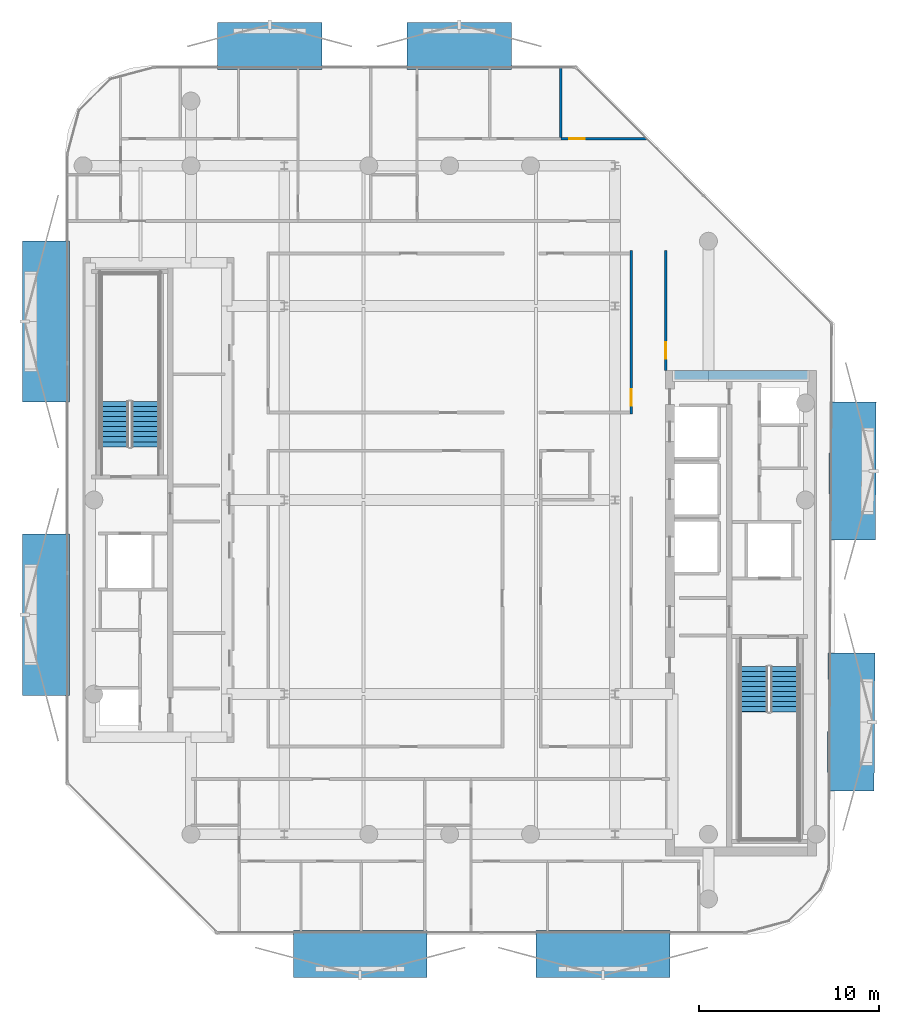
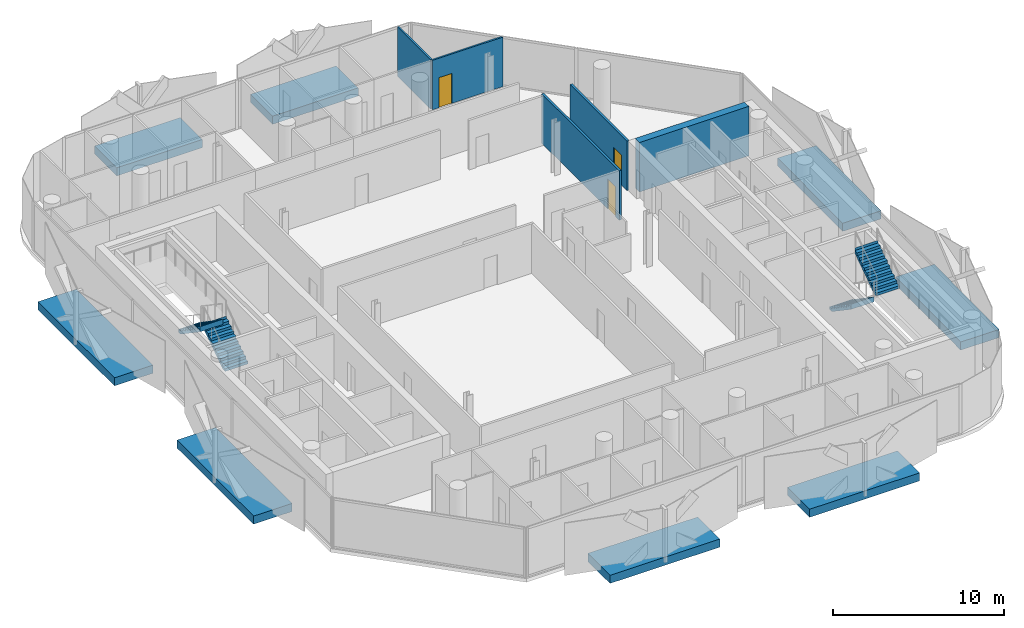
# One storey, part 8 of 17: 8 discrete accessories, 5 walls, 4 stair flights, 3 doors, 3 openings, 2 elements without a shape of their own.
"""IFC4 building model written with IfcOpenShell, lengths in metres."""

from ifc_helpers import new_model, si_unit, direction, frame, frame_2d, origin, origin_2d, place, context, subcontext, project, spatial, polyline, rectangle, outline, extrude, material, layer, layer_set, type_object, element, fill, aggregate, save


model = new_model("IFC4")

# Units and contexts
model_context = context("Model", 3, precision=1e-05, world=origin(), true_north=direction((0.0, 1.0)))
body_context = subcontext(model_context, "Body", "Model", "MODEL_VIEW")
ifc_project = project(units=[si_unit("LENGTHUNIT", "METRE"), si_unit("AREAUNIT", "SQUARE_METRE"), si_unit("VOLUMEUNIT", "CUBIC_METRE"), si_unit("PLANEANGLEUNIT", "RADIAN"), si_unit("MASSUNIT", "GRAM", prefix="KILO")], contexts=[model_context])

# Site, building, storey
site_placement = place(None, origin())
site = spatial("IfcSite", under=ifc_project, at=site_placement, CompositionType="ELEMENT")
building_placement = place(site_placement, origin())
building = spatial("IfcBuilding", under=site, at=building_placement, Name="Khairoan Windgate Tower", CompositionType="ELEMENT")
storey_placement = place(building_placement, frame((0.0, 0.0, 304.199951171875)))
storey = spatial("IfcBuildingStorey", under=building, at=storey_placement, Name="L73", CompositionType="ELEMENT", Elevation=304.199951171875)

# Wall, opening, door
ifc_material_1 = material(Name="Gypsum Stud Partition", Category="gypsum")
ifc_layer_1 = layer(ifc_material_1, 0.1201171875, Name="Gypsum Stud Partition")
ifc_layer_set_1 = layer_set([ifc_layer_1], Name="Gypsum Stud Partition")
wall_type_1 = type_object("IfcWallType", Name="Internal Room Partition Wall", PredefinedType="PARTITIONING", material=ifc_layer_set_1)
wall_1_placement = place(storey_placement, frame((6.18310546875, 20.10009765625, 0.0), z_axis=(0.0, 0.0, 1.0), x_axis=(1.0, 0.0, 0.0)))
wall_1 = element("IfcWall", 1, at=wall_1_placement, inside=storey, type_object=wall_type_1, Name="L73 Interior Partition 057", PredefinedType="PARTITIONING", context=body_context, shape_type="SweptSolid", body=[
    extrude(rectangle(XDim=4.77392578125, YDim=0.1201171875, at=frame_2d((2.386962890625, 0.0))), origin(), (0.0, 0.0, 1.0), 3.5400390625),
])
opening_1_placement = place(wall_1_placement, frame((0.4599609375, 0.0, 0.0)))
opening_1 = element("IfcOpeningElement", 2, at=opening_1_placement, cuts=wall_1, Name="Opening ID-RM", PredefinedType="OPENING", context=body_context, shape_type="SweptSolid", body=[
    extrude(rectangle(XDim=0.860107421875, YDim=2.14990234375, at=frame_2d((0.43017578125, 1.074951171875))), frame((0.0, 0.070068359375, 0.0), z_axis=(0.0, -1.0, 0.0), x_axis=(1.0, 0.0, 0.0)), (0.0, 0.0, 1.0), 0.14013671875),
])
ifc_material_2 = material(Name="Teak Veneer Timber Leaf", Category="wood")
door_type_1 = type_object("IfcDoorType", Name="Internal Bedroom and Office Door ID-RM 860x2150", OperationType="NOTDEFINED", PredefinedType="DOOR", material=ifc_material_2)
door_1_placement = place(opening_1_placement, origin())
door_1 = element("IfcDoor", 3, at=door_1_placement, inside=storey, type_object=door_type_1, Name="L73 L73-42-L73-45 Door", OperationType="SINGLE_SWING_RIGHT", OverallHeight=2.14990234375, OverallWidth=0.860107421875, PredefinedType="DOOR", context=body_context, shape_type="SweptSolid", body=[
    extrude(rectangle(XDim=0.860107421875, YDim=2.14990234375, at=frame_2d((0.43017578125, 1.074951171875))), frame((0.0, 0.02490234375, 0.0), z_axis=(0.0, -1.0, 0.0), x_axis=(1.0, 0.0, 0.0)), (0.0, 0.0, 1.0), 0.050048828125),
])
fill(opening_1, door_1)

# Wall
wall_2_placement = place(storey_placement, frame((6.18310546875, 20.159912109375, 0.0), z_axis=(0.0, 0.0, 1.0), x_axis=(0.0, 1.0, 0.0)))
element("IfcWall", 4, at=wall_2_placement, inside=storey, type_object=wall_type_1, Name="L73 Interior Partition 059", PredefinedType="PARTITIONING", context=body_context, shape_type="SweptSolid", body=[
    extrude(rectangle(XDim=3.89501953125, YDim=0.1201171875, at=frame_2d((1.947509765625, 0.0))), origin(), (0.0, 0.0, 1.0), 3.5400390625),
])

# Wall, opening, door
ifc_material_3 = material(Name="Acoustic Fire-Rated Gypsum Partition", Category="gypsum")
ifc_layer_2 = layer(ifc_material_3, 0.14990234375, Name="Acoustic Fire-Rated Gypsum Partition")
ifc_layer_set_2 = layer_set([ifc_layer_2], Name="Acoustic Fire-Rated Gypsum Partition")
wall_type_2 = type_object("IfcWallType", Name="Rated Corridor Partition Wall", PredefinedType="PARTITIONING", material=ifc_layer_set_2)
wall_3_placement = place(storey_placement, frame((12.014892578125, 7.199951171875, 0.0), z_axis=(0.0, 0.0, 1.0), x_axis=(0.0, 1.0, 0.0)))
wall_3 = element("IfcWall", 5, at=wall_3_placement, inside=storey, type_object=wall_type_2, Name="L73 Interior Partition 015", PredefinedType="PARTITIONING", context=body_context, shape_type="SweptSolid", body=[
    extrude(rectangle(XDim=6.679931640625, YDim=0.14990234375, at=frame_2d((3.33984375, 0.0))), origin(), (0.0, 0.0, 1.0), 3.5400390625),
])
opening_2_placement = place(wall_3_placement, frame((0.669921875, 0.0, 0.0)))
opening_2 = element("IfcOpeningElement", 6, at=opening_2_placement, cuts=wall_3, Name="Opening FD-ENT", PredefinedType="OPENING", context=body_context, shape_type="SweptSolid", body=[
    extrude(rectangle(XDim=0.89990234375, YDim=2.14990234375, at=frame_2d((0.449951171875, 1.074951171875))), frame((0.0, 0.0849609375, 0.0), z_axis=(0.0, -1.0, 0.0), x_axis=(1.0, 0.0, 0.0)), (0.0, 0.0, 1.0), 0.169921875),
])
ifc_material_4 = material(Name="Timber Fire-Rated Core", Category="wood")
door_type_2 = type_object("IfcDoorType", Name="Unit and Office Fire Entrance Door FD-ENT 900x2150", OperationType="NOTDEFINED", PredefinedType="DOOR", material=ifc_material_4)
door_2_placement = place(opening_2_placement, origin())
door_2 = element("IfcDoor", 7, at=door_2_placement, inside=storey, type_object=door_type_2, Name="L73 L73-28-L73-59 Door", OperationType="SINGLE_SWING_RIGHT", OverallHeight=2.14990234375, OverallWidth=0.89990234375, PredefinedType="DOOR", context=body_context, shape_type="SweptSolid", body=[
    extrude(rectangle(XDim=0.89990234375, YDim=2.14990234375, at=frame_2d((0.449951171875, 1.074951171875))), frame((0.0, 0.02490234375, 0.0), z_axis=(0.0, -1.0, 0.0), x_axis=(1.0, 0.0, 0.0)), (0.0, 0.0, 1.0), 0.050048828125),
])
fill(opening_2, door_2)

wall_4_placement = place(storey_placement, frame((10.10009765625, 4.7900390625, 0.0), z_axis=(0.0, 0.0, 1.0), x_axis=(0.0, 1.0, 0.0)))
wall_4 = element("IfcWall", 8, at=wall_4_placement, inside=storey, type_object=wall_type_2, Name="L73 Interior Partition 016", PredefinedType="PARTITIONING", context=body_context, shape_type="SweptSolid", body=[
    extrude(rectangle(XDim=9.08984375, YDim=0.14990234375, at=frame_2d((4.544921875, 0.0))), origin(), (0.0, 0.0, 1.0), 3.5400390625),
])
opening_3_placement = place(wall_4_placement, frame((0.4599609375, 0.0, 0.0)))
opening_3 = element("IfcOpeningElement", 9, at=opening_3_placement, cuts=wall_4, Name="Opening FD-ENT", PredefinedType="OPENING", context=body_context, shape_type="SweptSolid", body=[
    extrude(rectangle(XDim=0.89990234375, YDim=2.14990234375, at=frame_2d((0.449951171875, 1.074951171875))), frame((0.0, 0.0849609375, 0.0), z_axis=(0.0, -1.0, 0.0), x_axis=(1.0, 0.0, 0.0)), (0.0, 0.0, 1.0), 0.169921875),
])
door_3_placement = place(opening_3_placement, origin())
door_3 = element("IfcDoor", 10, at=door_3_placement, inside=storey, type_object=door_type_2, Name="L73 L73-28-L73-62 Door", OperationType="SINGLE_SWING_LEFT", OverallHeight=2.14990234375, OverallWidth=0.89990234375, PredefinedType="DOOR", context=body_context, shape_type="SweptSolid", body=[
    extrude(rectangle(XDim=0.89990234375, YDim=2.14990234375, at=frame_2d((0.449951171875, 1.074951171875))), frame((0.0, 0.02490234375, 0.0), z_axis=(0.0, -1.0, 0.0), x_axis=(1.0, 0.0, 0.0)), (0.0, 0.0, 1.0), 0.050048828125),
])
fill(opening_3, door_3)

# Wall
ifc_material_5 = material(Name="Concrete C50/60", Category="concrete")
ifc_layer_3 = layer(ifc_material_5, 0.5, Name="Concrete C50/60")
ifc_layer_set_3 = layer_set([ifc_layer_3], Name="Concrete C50/60")
wall_type_3 = type_object("IfcWallType", Name="Shear Wall CW-E3 500mm", PredefinedType="SHEAR", material=ifc_layer_set_3)
wall_5_placement = place(storey_placement, frame((12.5, 6.949951171875, 0.0), z_axis=(0.0, 0.0, 1.0), x_axis=(1.0, 0.0, 0.0)))
element("IfcWall", 11, at=wall_5_placement, inside=storey, type_object=wall_type_3, Name="E Core North Shear Wall L73", PredefinedType="SHEAR", context=body_context, shape_type="SweptSolid", body=[
    extrude(rectangle(XDim=7.39990234375, YDim=0.5, at=frame_2d((3.699951171875, 0.0))), origin(), (0.0, 0.0, 1.0), 3.5400390625),
])

# Stair, stair flights
ifc_material_6 = material(Name="Concrete C40/50", Category="concrete")
stair_type = type_object("IfcStairType", Name="Tower Core Dog-Leg Stair ST-T1 1560mm", PredefinedType="HALF_TURN_STAIR", material=ifc_material_6)
stair_1_placement = place(storey_placement, origin())
stair_1 = element("IfcStair", 12, at=stair_1_placement, inside=storey, type_object=stair_type, Name="L73 Stair ST1", PredefinedType="HALF_TURN_STAIR")
ifc_material_7 = material(Name="Concrete C40/50", Category="concrete")
ifc_layer_4 = layer(ifc_material_7, 0.14990234375, Name="Concrete C40/50")
ifc_layer_set_4 = layer_set([ifc_layer_4], Name="Concrete C40/50")
stair_flight_type = type_object("IfcStairFlightType", Name="Tower Core Stair Flight STF-1560", PredefinedType="STRAIGHT", material=ifc_layer_set_4)
stair_flight_1_placement = place(storey_placement, frame((16.929931640625, -9.260009765625, 0.0), z_axis=(0.0, 0.0, 1.0), x_axis=(0.0, -1.0, 0.0)))
stair_flight_1 = element("IfcStairFlight", 13, at=stair_flight_1_placement, type_object=stair_flight_type, Name="ST1 flight 1", NumberOfRisers=10, NumberOfTreads=9, PredefinedType="STRAIGHT", RiserHeight=0.19, TreadLength=0.28, context=body_context, shape_type="SweptSolid", body=[
    extrude(outline(polyline([(-0.00390625, 0.0), (-0.00390625, 0.18994140625), (0.0, 0.18994140625), (0.280029296875, 0.18994140625), (0.280029296875, 0.3798828125), (0.56005859375, 0.3798828125), (0.56005859375, 0.570068359375), (0.840087890625, 0.570068359375), (0.840087890625, 0.760009765625), (1.1201171875, 0.760009765625), (1.1201171875, 0.949951171875), (1.39990234375, 0.949951171875), (1.39990234375, 1.139892578125), (1.679931640625, 1.139892578125), (1.679931640625, 1.330078125), (1.9599609375, 1.330078125), (1.9599609375, 1.52001953125), (2.239990234375, 1.52001953125), (2.239990234375, 1.7099609375), (2.52001953125, 1.7099609375), (2.52001953125, 1.89990234375), (2.52392578125, 1.89990234375), (2.52392578125, 1.52880859375), (0.266845703125, 0.0), (-0.00390625, 0.0)])), frame((0.0, 0.780029296875, 0.0), z_axis=(0.0, -1.0, 0.0), x_axis=(1.0, 0.0, 0.0)), (0.0, 0.0, 1.0), 1.56005859375),
])
stair_flight_2_placement = place(storey_placement, frame((18.639892578125, -11.780029296875, 1.900146484375), z_axis=(0.0, 0.0, 1.0), x_axis=(0.0, 1.0, 0.0)))
stair_flight_2 = element("IfcStairFlight", 14, at=stair_flight_2_placement, type_object=stair_flight_type, Name="ST1 flight 2", NumberOfRisers=10, NumberOfTreads=9, PredefinedType="STRAIGHT", RiserHeight=0.19, TreadLength=0.28, context=body_context, shape_type="SweptSolid", body=[
    extrude(outline(polyline([(-0.00390625, 0.0), (-0.00390625, 0.18994140625), (0.0, 0.18994140625), (0.280029296875, 0.18994140625), (0.280029296875, 0.3798828125), (0.56005859375, 0.3798828125), (0.56005859375, 0.570068359375), (0.840087890625, 0.570068359375), (0.840087890625, 0.760009765625), (1.1201171875, 0.760009765625), (1.1201171875, 0.949951171875), (1.39990234375, 0.949951171875), (1.39990234375, 1.139892578125), (1.679931640625, 1.139892578125), (1.679931640625, 1.330078125), (1.9599609375, 1.330078125), (1.9599609375, 1.52001953125), (2.239990234375, 1.52001953125), (2.239990234375, 1.7099609375), (2.52001953125, 1.7099609375), (2.52001953125, 1.89990234375), (2.52392578125, 1.89990234375), (2.52392578125, 1.52880859375), (0.266845703125, 0.0), (-0.00390625, 0.0)])), frame((0.0, 0.780029296875, 0.0), z_axis=(0.0, -1.0, 0.0), x_axis=(1.0, 0.0, 0.0)), (0.0, 0.0, 1.0), 1.56005859375),
])
aggregate(stair_1, [stair_flight_1, stair_flight_2])

stair_2_placement = place(storey_placement, origin())
stair_2 = element("IfcStair", 15, at=stair_2_placement, inside=storey, type_object=stair_type, Name="L73 Stair ST2", PredefinedType="HALF_TURN_STAIR")
stair_flight_3_placement = place(storey_placement, frame((-16.929931640625, 2.9599609375, 0.0), z_axis=(0.0, 0.0, 1.0), x_axis=(0.0, 1.0, 0.0)))
stair_flight_3 = element("IfcStairFlight", 16, at=stair_flight_3_placement, type_object=stair_flight_type, Name="ST2 flight 1", NumberOfRisers=10, NumberOfTreads=9, PredefinedType="STRAIGHT", RiserHeight=0.19, TreadLength=0.28, context=body_context, shape_type="SweptSolid", body=[
    extrude(outline(polyline([(-0.00390625, 0.0), (-0.00390625, 0.18994140625), (0.0, 0.18994140625), (0.280029296875, 0.18994140625), (0.280029296875, 0.3798828125), (0.56005859375, 0.3798828125), (0.56005859375, 0.570068359375), (0.840087890625, 0.570068359375), (0.840087890625, 0.760009765625), (1.1201171875, 0.760009765625), (1.1201171875, 0.949951171875), (1.39990234375, 0.949951171875), (1.39990234375, 1.139892578125), (1.679931640625, 1.139892578125), (1.679931640625, 1.330078125), (1.9599609375, 1.330078125), (1.9599609375, 1.52001953125), (2.239990234375, 1.52001953125), (2.239990234375, 1.7099609375), (2.52001953125, 1.7099609375), (2.52001953125, 1.89990234375), (2.52392578125, 1.89990234375), (2.52392578125, 1.52880859375), (0.266845703125, 0.0), (-0.00390625, 0.0)])), frame((0.0, 0.780029296875, 0.0), z_axis=(0.0, -1.0, 0.0), x_axis=(1.0, 0.0, 0.0)), (0.0, 0.0, 1.0), 1.56005859375),
])
stair_flight_4_placement = place(storey_placement, frame((-18.639892578125, 5.47998046875, 1.900146484375), z_axis=(0.0, 0.0, 1.0), x_axis=(0.0, -1.0, 0.0)))
stair_flight_4 = element("IfcStairFlight", 17, at=stair_flight_4_placement, type_object=stair_flight_type, Name="ST2 flight 2", NumberOfRisers=10, NumberOfTreads=9, PredefinedType="STRAIGHT", RiserHeight=0.19, TreadLength=0.28, context=body_context, shape_type="SweptSolid", body=[
    extrude(outline(polyline([(-0.00390625, 0.0), (-0.00390625, 0.18994140625), (0.0, 0.18994140625), (0.280029296875, 0.18994140625), (0.280029296875, 0.3798828125), (0.56005859375, 0.3798828125), (0.56005859375, 0.570068359375), (0.840087890625, 0.570068359375), (0.840087890625, 0.760009765625), (1.1201171875, 0.760009765625), (1.1201171875, 0.949951171875), (1.39990234375, 0.949951171875), (1.39990234375, 1.139892578125), (1.679931640625, 1.139892578125), (1.679931640625, 1.330078125), (1.9599609375, 1.330078125), (1.9599609375, 1.52001953125), (2.239990234375, 1.52001953125), (2.239990234375, 1.7099609375), (2.52001953125, 1.7099609375), (2.52001953125, 1.89990234375), (2.52392578125, 1.89990234375), (2.52392578125, 1.52880859375), (0.266845703125, 0.0), (-0.00390625, 0.0)])), frame((0.0, 0.780029296875, 0.0), z_axis=(0.0, -1.0, 0.0), x_axis=(1.0, 0.0, 0.0)), (0.0, 0.0, 1.0), 1.56005859375),
])
aggregate(stair_2, [stair_flight_3, stair_flight_4])

# Discrete accessories
ifc_material_8 = material(Name="Steel S355", Category="steel")
discrete_accessory_type = type_object("IfcDiscreteAccessoryType", Name="Solar Screen Outrigger Slab Bracket SSB-1", PredefinedType="BRACKET", material=ifc_material_8)
for number, where, z_axis, x_axis, name in (
    (18, (8.53271484375, -25.260009765625, -0.419921875), (0.0, 0.0, 1.0), (-1.0, 0.0, 0.0), "L73 Solar Screen Outrigger Bracket 510"),
    (19, (-4.98388671875, -25.260009765625, -0.419921875), (0.0, 0.0, 1.0), (-1.0, 0.0, 0.0), "L73 Solar Screen Outrigger Bracket 511"),
):
    element("IfcDiscreteAccessory", number, at=place(storey_placement, frame(where, z_axis=z_axis, x_axis=x_axis)), inside=storey, type_object=discrete_accessory_type, Name=name, PredefinedType="BRACKET", context=body_context, shape_type="SweptSolid", body=[
        extrude(rectangle(XDim=7.43408203125, YDim=2.60009765625, at=origin_2d()), origin(), (0.0, 0.0, 1.0), 0.580078125),
    ])
for number, where, z_axis, x_axis, name in (
    (20, (-22.4599609375, -6.3837890625, -0.419921875), (0.0, 0.0, 1.0), (0.0, 1.0, 0.0), "L73 Solar Screen Outrigger Bracket 512"),
    (21, (-22.4599609375, 9.9326171875, -0.419921875), (0.0, 0.0, 1.0), (0.0, 1.0, 0.0), "L73 Solar Screen Outrigger Bracket 513"),
):
    element("IfcDiscreteAccessory", number, at=place(storey_placement, frame(where, z_axis=z_axis, x_axis=x_axis)), inside=storey, type_object=discrete_accessory_type, Name=name, PredefinedType="BRACKET", context=body_context, shape_type="SweptSolid", body=[
        extrude(rectangle(XDim=8.97412109375, YDim=2.60009765625, at=origin_2d()), origin(), (0.0, 0.0, 1.0), 0.580078125),
    ])
for number, where, z_axis, x_axis, name in (
    (22, (-10.017578125, 25.260009765625, -0.419921875), (0.0, 0.0, 1.0), (1.0, 0.0, 0.0), "L73 Solar Screen Outrigger Bracket 514"),
    (23, (0.52880859375, 25.260009765625, -0.419921875), (0.0, 0.0, 1.0), (1.0, 0.0, 0.0), "L73 Solar Screen Outrigger Bracket 515"),
):
    element("IfcDiscreteAccessory", number, at=place(storey_placement, frame(where, z_axis=z_axis, x_axis=x_axis)), inside=storey, type_object=discrete_accessory_type, Name=name, PredefinedType="BRACKET", context=body_context, shape_type="SweptSolid", body=[
        extrude(rectangle(XDim=5.801025390625, YDim=2.60009765625, at=origin_2d()), origin(), (0.0, 0.0, 1.0), 0.580078125),
    ])
for number, where, z_axis, x_axis, name in (
    (24, (22.416015625, 1.612060546875, -0.419921875), (0.0, 0.0, 1.0), (-0.005410494284, -0.999985363169, 0.0), "L73 Solar Screen Outrigger Bracket 516"),
    (25, (22.3408203125, -12.354736328125, -0.419921875), (0.0, 0.0, 1.0), (-0.005410494284, -0.999985363169, 0.0), "L73 Solar Screen Outrigger Bracket 517"),
):
    element("IfcDiscreteAccessory", number, at=place(storey_placement, frame(where, z_axis=z_axis, x_axis=x_axis)), inside=storey, type_object=discrete_accessory_type, Name=name, PredefinedType="BRACKET", context=body_context, shape_type="SweptSolid", body=[
        extrude(rectangle(XDim=7.681884765625, YDim=2.60009765625, at=origin_2d()), origin(), (0.0, 0.0, 1.0), 0.580078125),
    ])

save(model, "model.ifc")
